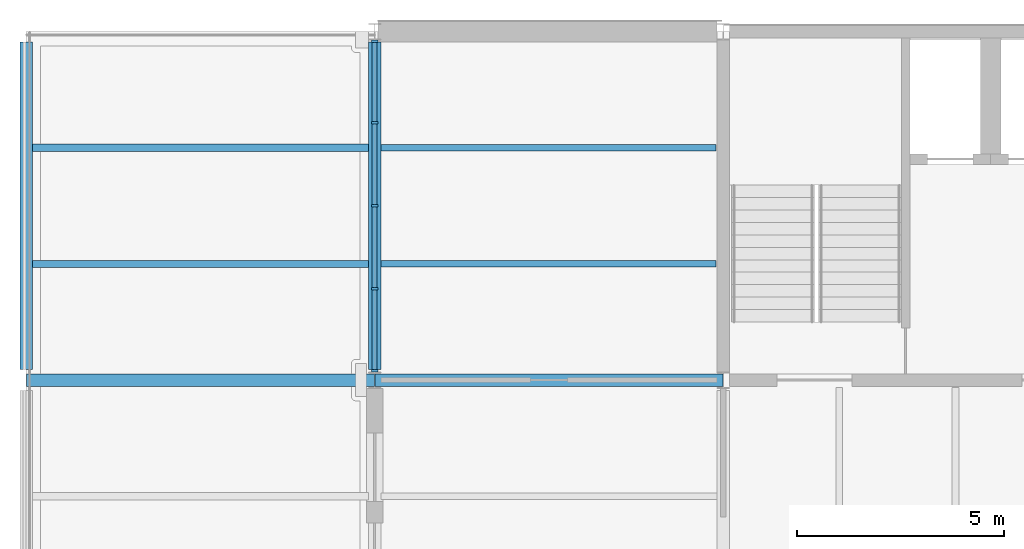
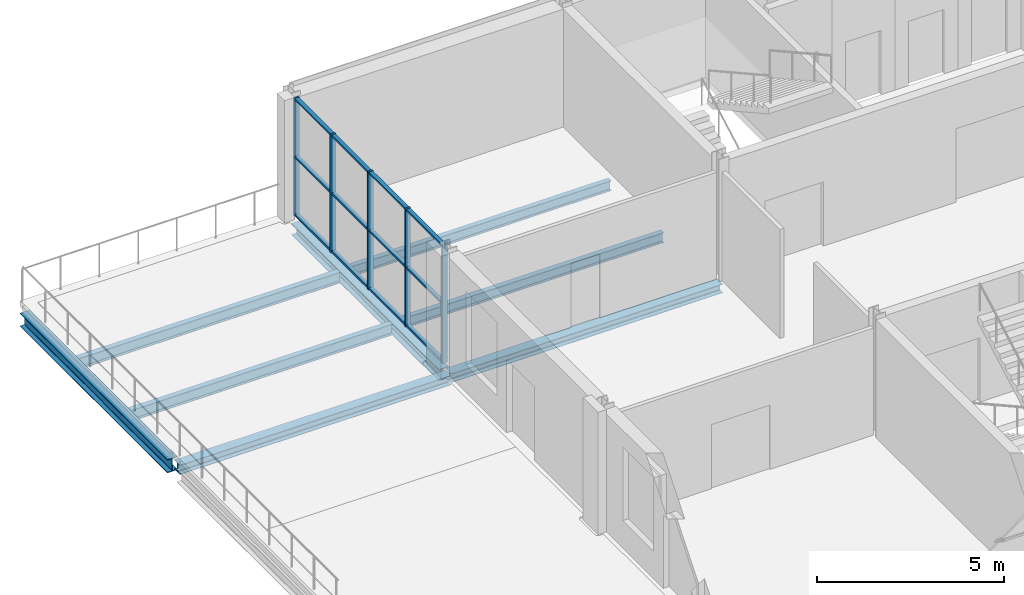
# One storey, part 4 of 9: 17 members, 8 beams, 1 element without a shape of its own.
"""IFC4 building model written with IfcOpenShell, lengths in metres."""

from ifc_helpers import new_model, si_unit, direction, frame, origin, origin_2d, place, context, subcontext, project, spatial, rectangle, i_section, extrude, material, layer, layer_set, material_profile, profile_set, type_object, element, aggregate, save


model = new_model("IFC4")

# Units and contexts
model_context = context("Model", 3, precision=1e-05, world=origin(), true_north=direction((0.0, 1.0)))
body_context = subcontext(model_context, "Body", "Model", "MODEL_VIEW")
ifc_project = project(units=[si_unit("LENGTHUNIT", "METRE"), si_unit("AREAUNIT", "SQUARE_METRE"), si_unit("VOLUMEUNIT", "CUBIC_METRE"), si_unit("PLANEANGLEUNIT", "RADIAN"), si_unit("MASSUNIT", "GRAM", prefix="KILO")], contexts=[model_context])

# Site, building, storey
site_placement = place(None, origin())
site = spatial("IfcSite", under=ifc_project, at=site_placement, CompositionType="ELEMENT")
building_placement = place(site_placement, origin())
building = spatial("IfcBuilding", under=site, at=building_placement, Name="Galleria Vessillo Department Store", CompositionType="ELEMENT")
storey_placement = place(building_placement, frame((0.0, 0.0, 47.60009765625)))
storey = spatial("IfcBuildingStorey", under=building, at=storey_placement, Name="L10", CompositionType="ELEMENT", Elevation=47.60009765625)

# Curtain wall, members
ifc_material_1 = material(Name="Aluminium and glass curtain wall", Category="aluminium")
ifc_layer = layer(ifc_material_1, 0.159912109375)
ifc_layer_set = layer_set([ifc_layer], Name="Aluminium and glass curtain wall")
curtain_wall_type = type_object("IfcCurtainWallType", Name="Tower curtain wall CW4 2100 module", PredefinedType="NOTDEFINED", material=ifc_layer_set)
curtain_wall_placement = place(storey_placement, origin())
curtain_wall = element("IfcCurtainWall", 1, at=curtain_wall_placement, inside=storey, type_object=curtain_wall_type, Name="Tower curtain wall CW4 2100 module TW-L10-03", PredefinedType="NOTDEFINED")
ifc_material_2 = material(Name="Aluminium alloy 6063 T6", Category="aluminium")
ifc_material_profile_1 = material_profile(ifc_material_2, rectangle(XDim=0.159912109375, YDim=0.06005859375, at=origin_2d()), Name="AL 60x160")
ifc_profile_set_1 = profile_set([ifc_material_profile_1], Name="Aluminium alloy 6063 T6")
member_type_1 = type_object("IfcMemberType", Name="Aluminium mullion 60 x 160", PredefinedType="MULLION", material=ifc_profile_set_1)
member_1_placement = place(storey_placement, frame((92.39990234375, 54.830078125, 0.0), z_axis=(0.0, 0.0, 1.0), x_axis=(-1.0, 0.0, 0.0)))
member_1 = element("IfcMember", 2, at=member_1_placement, type_object=member_type_1, Name="CW4 mullion 1", PredefinedType="MULLION", context=body_context, shape_type="SweptSolid", body=[
    extrude(rectangle(XDim=0.159912109375, YDim=0.06005859375, at=origin_2d()), origin(), (0.0, 0.0, 1.0), 3.85009765625),
])
member_2_placement = place(storey_placement, frame((92.39990234375, 56.800048828125, 0.0), z_axis=(0.0, 0.0, 1.0), x_axis=(-1.0, 0.0, 0.0)))
member_2 = element("IfcMember", 3, at=member_2_placement, type_object=member_type_1, Name="CW4 mullion 2", PredefinedType="MULLION", context=body_context, shape_type="SweptSolid", body=[
    extrude(rectangle(XDim=0.159912109375, YDim=0.06005859375, at=origin_2d()), origin(), (0.0, 0.0, 1.0), 3.85009765625),
])
member_3_placement = place(storey_placement, frame((92.39990234375, 58.800048828125, 0.0), z_axis=(0.0, 0.0, 1.0), x_axis=(-1.0, 0.0, 0.0)))
member_3 = element("IfcMember", 4, at=member_3_placement, type_object=member_type_1, Name="CW4 mullion 3", PredefinedType="MULLION", context=body_context, shape_type="SweptSolid", body=[
    extrude(rectangle(XDim=0.159912109375, YDim=0.06005859375, at=origin_2d()), origin(), (0.0, 0.0, 1.0), 3.85009765625),
])
member_4_placement = place(storey_placement, frame((92.39990234375, 60.800048828125, 0.0), z_axis=(0.0, 0.0, 1.0), x_axis=(-1.0, 0.0, 0.0)))
member_4 = element("IfcMember", 5, at=member_4_placement, type_object=member_type_1, Name="CW4 mullion 4", PredefinedType="MULLION", context=body_context, shape_type="SweptSolid", body=[
    extrude(rectangle(XDim=0.159912109375, YDim=0.06005859375, at=origin_2d()), origin(), (0.0, 0.0, 1.0), 3.85009765625),
])
member_5_placement = place(storey_placement, frame((92.39990234375, 62.77001953125, 0.0), z_axis=(0.0, 0.0, 1.0), x_axis=(-1.0, 0.0, 0.0)))
member_5 = element("IfcMember", 6, at=member_5_placement, type_object=member_type_1, Name="CW4 mullion 5", PredefinedType="MULLION", context=body_context, shape_type="SweptSolid", body=[
    extrude(rectangle(XDim=0.159912109375, YDim=0.06005859375, at=origin_2d()), origin(), (0.0, 0.0, 1.0), 3.85009765625),
])
ifc_material_3 = material(Name="Aluminium alloy 6063 T6", Category="aluminium")
ifc_material_profile_2 = material_profile(ifc_material_3, rectangle(XDim=0.1201171875, YDim=0.06005859375, at=origin_2d()), Name="AL 60x120")
ifc_profile_set_2 = profile_set([ifc_material_profile_2], Name="Aluminium alloy 6063 T6")
member_type_2 = type_object("IfcMemberType", Name="Aluminium transom 60 x 120", PredefinedType="USERDEFINED", material=ifc_profile_set_2)
member_6_placement = place(storey_placement, frame((92.39990234375, 54.860107421875, 0.030029296875), z_axis=(0.0, 1.0, 0.0), x_axis=(-1.0, 0.0, 0.0)))
member_6 = element("IfcMember", 7, at=member_6_placement, type_object=member_type_2, Name="CW4 transom 1.1", ObjectType="TRANSOM", PredefinedType="USERDEFINED", context=body_context, shape_type="SweptSolid", body=[
    extrude(rectangle(XDim=0.1201171875, YDim=0.06005859375, at=origin_2d()), origin(), (0.0, 0.0, 1.0), 1.909912109375),
])
member_7_placement = place(storey_placement, frame((92.39990234375, 54.860107421875, 1.925048828125), z_axis=(0.0, 1.0, 0.0), x_axis=(-1.0, 0.0, 0.0)))
member_7 = element("IfcMember", 8, at=member_7_placement, type_object=member_type_2, Name="CW4 transom 1.2", ObjectType="TRANSOM", PredefinedType="USERDEFINED", context=body_context, shape_type="SweptSolid", body=[
    extrude(rectangle(XDim=0.1201171875, YDim=0.06005859375, at=origin_2d()), origin(), (0.0, 0.0, 1.0), 1.909912109375),
])
member_8_placement = place(storey_placement, frame((92.39990234375, 54.860107421875, 3.820068359375), z_axis=(0.0, 1.0, 0.0), x_axis=(-1.0, 0.0, 0.0)))
member_8 = element("IfcMember", 9, at=member_8_placement, type_object=member_type_2, Name="CW4 transom 1.3", ObjectType="TRANSOM", PredefinedType="USERDEFINED", context=body_context, shape_type="SweptSolid", body=[
    extrude(rectangle(XDim=0.1201171875, YDim=0.06005859375, at=origin_2d()), origin(), (0.0, 0.0, 1.0), 1.909912109375),
])
member_9_placement = place(storey_placement, frame((92.39990234375, 56.830078125, 0.030029296875), z_axis=(0.0, 1.0, 0.0), x_axis=(-1.0, 0.0, 0.0)))
member_9 = element("IfcMember", 10, at=member_9_placement, type_object=member_type_2, Name="CW4 transom 2.1", ObjectType="TRANSOM", PredefinedType="USERDEFINED", context=body_context, shape_type="SweptSolid", body=[
    extrude(rectangle(XDim=0.1201171875, YDim=0.06005859375, at=origin_2d()), origin(), (0.0, 0.0, 1.0), 1.93994140625),
])
member_10_placement = place(storey_placement, frame((92.39990234375, 56.830078125, 1.925048828125), z_axis=(0.0, 1.0, 0.0), x_axis=(-1.0, 0.0, 0.0)))
member_10 = element("IfcMember", 11, at=member_10_placement, type_object=member_type_2, Name="CW4 transom 2.2", ObjectType="TRANSOM", PredefinedType="USERDEFINED", context=body_context, shape_type="SweptSolid", body=[
    extrude(rectangle(XDim=0.1201171875, YDim=0.06005859375, at=origin_2d()), origin(), (0.0, 0.0, 1.0), 1.93994140625),
])
member_11_placement = place(storey_placement, frame((92.39990234375, 56.830078125, 3.820068359375), z_axis=(0.0, 1.0, 0.0), x_axis=(-1.0, 0.0, 0.0)))
member_11 = element("IfcMember", 12, at=member_11_placement, type_object=member_type_2, Name="CW4 transom 2.3", ObjectType="TRANSOM", PredefinedType="USERDEFINED", context=body_context, shape_type="SweptSolid", body=[
    extrude(rectangle(XDim=0.1201171875, YDim=0.06005859375, at=origin_2d()), origin(), (0.0, 0.0, 1.0), 1.93994140625),
])
member_12_placement = place(storey_placement, frame((92.39990234375, 58.830078125, 0.030029296875), z_axis=(0.0, 1.0, 0.0), x_axis=(-1.0, 0.0, 0.0)))
member_12 = element("IfcMember", 13, at=member_12_placement, type_object=member_type_2, Name="CW4 transom 3.1", ObjectType="TRANSOM", PredefinedType="USERDEFINED", context=body_context, shape_type="SweptSolid", body=[
    extrude(rectangle(XDim=0.1201171875, YDim=0.06005859375, at=origin_2d()), origin(), (0.0, 0.0, 1.0), 1.93994140625),
])
member_13_placement = place(storey_placement, frame((92.39990234375, 58.830078125, 1.925048828125), z_axis=(0.0, 1.0, 0.0), x_axis=(-1.0, 0.0, 0.0)))
member_13 = element("IfcMember", 14, at=member_13_placement, type_object=member_type_2, Name="CW4 transom 3.2", ObjectType="TRANSOM", PredefinedType="USERDEFINED", context=body_context, shape_type="SweptSolid", body=[
    extrude(rectangle(XDim=0.1201171875, YDim=0.06005859375, at=origin_2d()), origin(), (0.0, 0.0, 1.0), 1.93994140625),
])
member_14_placement = place(storey_placement, frame((92.39990234375, 58.830078125, 3.820068359375), z_axis=(0.0, 1.0, 0.0), x_axis=(-1.0, 0.0, 0.0)))
member_14 = element("IfcMember", 15, at=member_14_placement, type_object=member_type_2, Name="CW4 transom 3.3", ObjectType="TRANSOM", PredefinedType="USERDEFINED", context=body_context, shape_type="SweptSolid", body=[
    extrude(rectangle(XDim=0.1201171875, YDim=0.06005859375, at=origin_2d()), origin(), (0.0, 0.0, 1.0), 1.93994140625),
])
member_15_placement = place(storey_placement, frame((92.39990234375, 60.830078125, 0.030029296875), z_axis=(0.0, 1.0, 0.0), x_axis=(-1.0, 0.0, 0.0)))
member_15 = element("IfcMember", 16, at=member_15_placement, type_object=member_type_2, Name="CW4 transom 4.1", ObjectType="TRANSOM", PredefinedType="USERDEFINED", context=body_context, shape_type="SweptSolid", body=[
    extrude(rectangle(XDim=0.1201171875, YDim=0.06005859375, at=origin_2d()), origin(), (0.0, 0.0, 1.0), 1.909912109375),
])
member_16_placement = place(storey_placement, frame((92.39990234375, 60.830078125, 1.925048828125), z_axis=(0.0, 1.0, 0.0), x_axis=(-1.0, 0.0, 0.0)))
member_16 = element("IfcMember", 17, at=member_16_placement, type_object=member_type_2, Name="CW4 transom 4.2", ObjectType="TRANSOM", PredefinedType="USERDEFINED", context=body_context, shape_type="SweptSolid", body=[
    extrude(rectangle(XDim=0.1201171875, YDim=0.06005859375, at=origin_2d()), origin(), (0.0, 0.0, 1.0), 1.909912109375),
])
member_17_placement = place(storey_placement, frame((92.39990234375, 60.830078125, 3.820068359375), z_axis=(0.0, 1.0, 0.0), x_axis=(-1.0, 0.0, 0.0)))
member_17 = element("IfcMember", 18, at=member_17_placement, type_object=member_type_2, Name="CW4 transom 4.3", ObjectType="TRANSOM", PredefinedType="USERDEFINED", context=body_context, shape_type="SweptSolid", body=[
    extrude(rectangle(XDim=0.1201171875, YDim=0.06005859375, at=origin_2d()), origin(), (0.0, 0.0, 1.0), 1.909912109375),
])
aggregate(curtain_wall, [member_1, member_2, member_3, member_4, member_5, member_6, member_7, member_8, member_9, member_10, member_11, member_12, member_13, member_14, member_15, member_16, member_17])

# Beams
ifc_material_4 = material(Name="Steel S355 J2", Category="steel")
ifc_material_profile_3 = material_profile(ifc_material_4, i_section(OverallWidth=0.300048828125, OverallDepth=0.389892578125, WebThickness=0.010986328125, FlangeThickness=0.01904296875, FilletRadius=0.027099609375, at=origin_2d()), Name="HEA 400")
ifc_profile_set_3 = profile_set([ifc_material_profile_3], Name="Steel S355 J2")
beam_type_1 = type_object("IfcBeamType", Name="Floor girder HEA 400", PredefinedType="BEAM", material=ifc_profile_set_3)
beam_1_placement = place(storey_placement, frame((92.39990234375, 54.85009765625, -0.39501953125), z_axis=(0.0, 1.0, 0.0), x_axis=(-1.0, 0.0, 0.0)))
element("IfcBeam", 19, at=beam_1_placement, inside=storey, type_object=beam_type_1, Name="S-BM-L10-GI-y92400-54850", PredefinedType="BEAM", context=body_context, shape_type="SweptSolid", body=[
    extrude(i_section(OverallWidth=0.300048828125, OverallDepth=0.389892578125, WebThickness=0.010986328125, FlangeThickness=0.01904296875, FilletRadius=0.027099609375, at=origin_2d()), origin(), (0.0, 0.0, 1.0), 7.899658203125),
])
ifc_material_5 = material(Name="Steel S355 J2", Category="steel")
ifc_material_profile_4 = material_profile(ifc_material_5, i_section(OverallWidth=0.159912109375, OverallDepth=0.330078125, WebThickness=0.007568359375, FlangeThickness=0.011474609375, FilletRadius=0.01806640625, at=origin_2d()), Name="IPE 330")
ifc_profile_set_4 = profile_set([ifc_material_profile_4], Name="Steel S355 J2")
beam_type_2 = type_object("IfcBeamType", Name="Floor joist IPE 330", PredefinedType="JOIST", material=ifc_profile_set_4)
for number, where, z_axis, x_axis, name in (
    (20, (92.550048828125, 57.39990234375, -0.31494140625), (1.0, 0.0, 0.0), (0.0, 1.0, 0.0), "S-BM-L10-JO-x57400-92550"),
    (21, (92.550048828125, 60.199951171875, -0.31494140625), (1.0, 0.0, 0.0), (0.0, 1.0, 0.0), "S-BM-L10-JO-x60200-92550"),
):
    element("IfcBeam", number, at=place(storey_placement, frame(where, z_axis=z_axis, x_axis=x_axis)), inside=storey, type_object=beam_type_2, Name=name, PredefinedType="JOIST", context=body_context, shape_type="SweptSolid", body=[
        extrude(i_section(OverallWidth=0.159912109375, OverallDepth=0.330078125, WebThickness=0.007568359375, FlangeThickness=0.011474609375, FilletRadius=0.01806640625, at=origin_2d()), origin(), (0.0, 0.0, 1.0), 8.07470703125),
    ])
ifc_material_6 = material(Name="Steel S355 J2", Category="steel")
ifc_material_profile_5 = material_profile(ifc_material_6, i_section(OverallWidth=0.169921875, OverallDepth=0.360107421875, WebThickness=0.008056640625, FlangeThickness=0.0126953125, FilletRadius=0.01806640625, at=origin_2d()), Name="IPE 360")
ifc_profile_set_5 = profile_set([ifc_material_profile_5], Name="Steel S355 J2")
beam_type_3 = type_object("IfcBeamType", Name="Floor joist IPE 360", PredefinedType="JOIST", material=ifc_profile_set_5)
for number, where, z_axis, x_axis, name in (
    (22, (84.150146484375, 57.39990234375, -0.3798828125), (1.0, 0.0, 0.0), (0.0, 1.0, 0.0), "S-BM-L10-JO-x57400-84150"),
    (23, (84.150146484375, 60.199951171875, -0.3798828125), (1.0, 0.0, 0.0), (0.0, 1.0, 0.0), "S-BM-L10-JO-x60200-84150"),
):
    element("IfcBeam", number, at=place(storey_placement, frame(where, z_axis=z_axis, x_axis=x_axis)), inside=storey, type_object=beam_type_3, Name=name, PredefinedType="JOIST", context=body_context, shape_type="SweptSolid", body=[
        extrude(i_section(OverallWidth=0.169921875, OverallDepth=0.360107421875, WebThickness=0.008056640625, FlangeThickness=0.0126953125, FilletRadius=0.01806640625, at=origin_2d()), origin(), (0.0, 0.0, 1.0), 8.099609375),
    ])
ifc_material_7 = material(Name="Steel S355 J2", Category="steel")
ifc_material_profile_6 = material_profile(ifc_material_7, i_section(OverallWidth=0.300048828125, OverallDepth=0.2900390625, WebThickness=0.008544921875, FlangeThickness=0.013916015625, FilletRadius=0.027099609375, at=origin_2d()), Name="HEA 300")
ifc_profile_set_6 = profile_set([ifc_material_profile_6], Name="Steel S355 J2")
beam_type_4 = type_object("IfcBeamType", Name="Floor tie girder HEA 300", PredefinedType="BEAM", material=ifc_profile_set_6)
beam_2_placement = place(storey_placement, frame((92.407470703125, 54.60009765625, -0.294921875), z_axis=(1.0, 0.0, 0.0), x_axis=(0.0, 1.0, 0.0)))
element("IfcBeam", 24, at=beam_2_placement, inside=storey, type_object=beam_type_4, Name="S-BM-L10-TI-x54600-92407", PredefinedType="BEAM", context=body_context, shape_type="SweptSolid", body=[
    extrude(i_section(OverallWidth=0.300048828125, OverallDepth=0.2900390625, WebThickness=0.008544921875, FlangeThickness=0.013916015625, FilletRadius=0.027099609375, at=origin_2d()), origin(), (0.0, 0.0, 1.0), 8.38525390625),
])
ifc_material_8 = material(Name="Steel S355 J2", Category="steel")
ifc_material_profile_7 = material_profile(ifc_material_8, i_section(OverallWidth=0.300048828125, OverallDepth=0.31005859375, WebThickness=0.009033203125, FlangeThickness=0.015380859375, FilletRadius=0.027099609375, at=origin_2d()), Name="HEA 320")
ifc_profile_set_7 = profile_set([ifc_material_profile_7], Name="Steel S355 J2")
beam_type_5 = type_object("IfcBeamType", Name="Floor tie girder HEA 320", PredefinedType="BEAM", material=ifc_profile_set_7)
beam_3_placement = place(storey_placement, frame((84.00732421875, 54.60009765625, -0.35498046875), z_axis=(1.0, 0.0, 0.0), x_axis=(0.0, 1.0, 0.0)))
element("IfcBeam", 25, at=beam_3_placement, inside=storey, type_object=beam_type_5, Name="S-BM-L10-TI-x54600-84007", PredefinedType="BEAM", context=body_context, shape_type="SweptSolid", body=[
    extrude(i_section(OverallWidth=0.300048828125, OverallDepth=0.31005859375, WebThickness=0.009033203125, FlangeThickness=0.015380859375, FilletRadius=0.027099609375, at=origin_2d()), origin(), (0.0, 0.0, 1.0), 8.38525390625),
])
ifc_material_9 = material(Name="Steel S355 J2", Category="steel")
ifc_material_profile_8 = material_profile(ifc_material_9, i_section(OverallWidth=0.300048828125, OverallDepth=0.43994140625, WebThickness=0.011474609375, FlangeThickness=0.02099609375, FilletRadius=0.027099609375, at=origin_2d()), Name="HEA 450")
ifc_profile_set_8 = profile_set([ifc_material_profile_8], Name="Steel S355 J2")
beam_type_6 = type_object("IfcBeamType", Name="Trimmer beam HEA 450", PredefinedType="BEAM", material=ifc_profile_set_8)
beam_4_placement = place(storey_placement, frame((84.0, 54.85009765625, -0.419921875), z_axis=(0.0, 1.0, 0.0), x_axis=(-1.0, 0.0, 0.0)))
element("IfcBeam", 26, at=beam_4_placement, inside=storey, type_object=beam_type_6, Name="S-BM-L10-TR-y84000-54850", PredefinedType="BEAM", context=body_context, shape_type="SweptSolid", body=[
    extrude(i_section(OverallWidth=0.300048828125, OverallDepth=0.43994140625, WebThickness=0.011474609375, FlangeThickness=0.02099609375, FilletRadius=0.027099609375, at=origin_2d()), origin(), (0.0, 0.0, 1.0), 7.899658203125),
])

save(model, "model.ifc")
